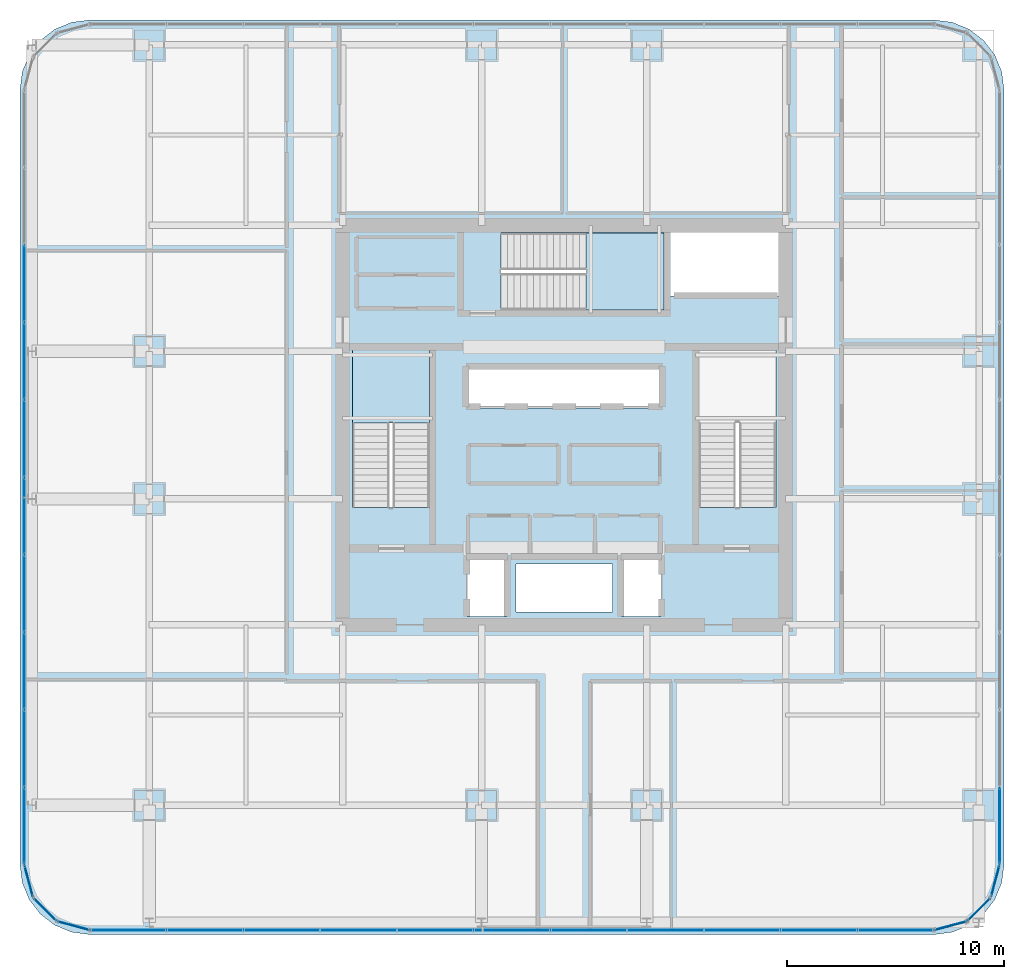
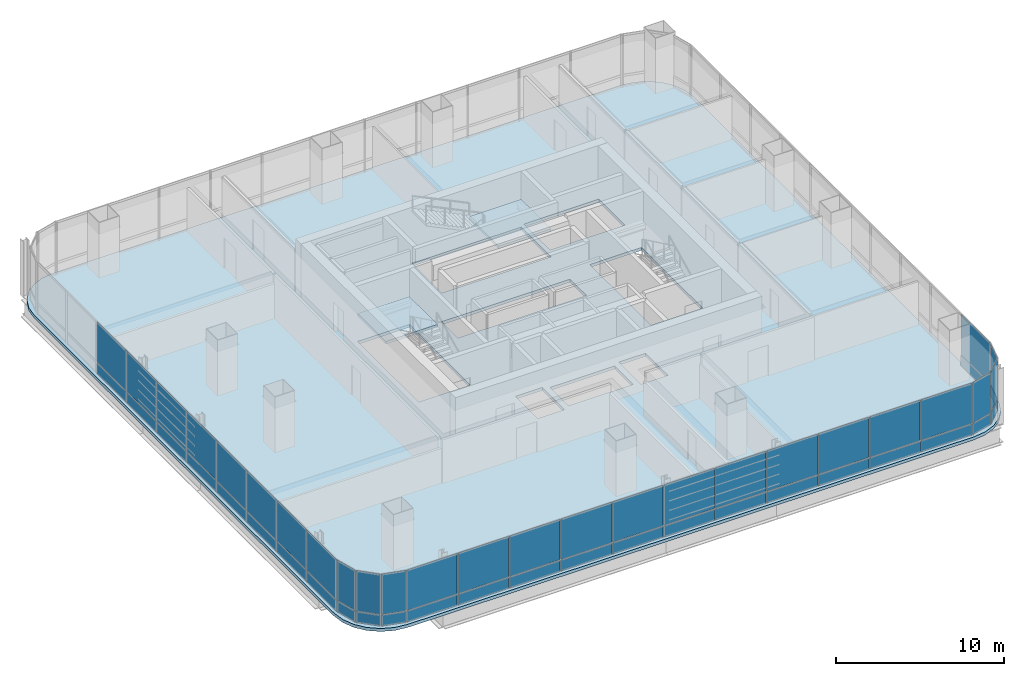
# One storey, part 27 of 37: 52 plates, 3 slabs, 11 elements without a shape of their own.
"""IFC4 building model written with IfcOpenShell, lengths in metres."""

from ifc_helpers import new_model, si_unit, direction, frame, origin, origin_2d, place, context, subcontext, project, spatial, polyline, rectangle, outline, extrude, material, layer, layer_set, type_object, element, aggregate, save


model = new_model("IFC4")

# Units and contexts
model_context = context("Model", 3, precision=1e-05, world=origin(), true_north=direction((0.0, 1.0)))
body_context = subcontext(model_context, "Body", "Model", "MODEL_VIEW")
ifc_project = project(units=[si_unit("LENGTHUNIT", "METRE"), si_unit("AREAUNIT", "SQUARE_METRE"), si_unit("VOLUMEUNIT", "CUBIC_METRE"), si_unit("PLANEANGLEUNIT", "RADIAN"), si_unit("MASSUNIT", "GRAM", prefix="KILO")], contexts=[model_context])

# Site, building, storey
site_placement = place(None, origin())
site = spatial("IfcSite", under=ifc_project, at=site_placement, CompositionType="ELEMENT")
building_placement = place(site_placement, origin())
building = spatial("IfcBuilding", under=site, at=building_placement, Name="Punatoya Terracotta Tower", CompositionType="ELEMENT")
storey_placement = place(building_placement, frame((0.0, 0.0, 192.449951171875)))
storey = spatial("IfcBuildingStorey", under=building, at=storey_placement, Name="L45", CompositionType="ELEMENT", Elevation=192.449951171875)

# Curtain wall, plates
ifc_material_1 = material(Name="Aluminium 6063-T6 + Double Low-E Glass", Category="aluminium")
curtain_wall_type = type_object("IfcCurtainWallType", Name="CW-M2", PredefinedType="NOTDEFINED", material=ifc_material_1)
curtain_wall_1_placement = place(storey_placement, origin())
curtain_wall_1 = element("IfcCurtainWall", 1, at=curtain_wall_1_placement, inside=storey, type_object=curtain_wall_type, Name="L45 Curtain Wall CW-L45-S01-1", PredefinedType="NOTDEFINED")
ifc_material_2 = material(Name="Double Low-E Acoustic Vision Glass", Category="glass")
ifc_layer_1 = layer(ifc_material_2, 0.031982421875)
ifc_layer_set_1 = layer_set([ifc_layer_1], Name="Double Low-E Acoustic Vision Glass")
plate_type_1 = type_object("IfcPlateType", Name="PLT-GLZ-32", PredefinedType="CURTAIN_PANEL", material=ifc_layer_set_1)
plate_1_placement = place(storey_placement, frame((-20.06982421875, -23.25, 0.89013671875), z_axis=(0.0, 0.0, 1.0), x_axis=(1.0, 0.0, 0.0)))
plate_1 = element("IfcPlate", 2, at=plate_1_placement, type_object=plate_type_1, Name="CW-L45-S01-1 Vision Glass Panel 1", PredefinedType="CURTAIN_PANEL", context=body_context, shape_type="SweptSolid", body=[
    extrude(rectangle(XDim=3.448974609375, YDim=0.031982421875, at=origin_2d()), origin(), (0.0, 0.0, 1.0), 2.89990234375),
])
plate_2_placement = place(storey_placement, frame((-16.535888671875, -23.25, 0.89013671875), z_axis=(0.0, 0.0, 1.0), x_axis=(1.0, 0.0, 0.0)))
plate_2 = element("IfcPlate", 3, at=plate_2_placement, type_object=plate_type_1, Name="CW-L45-S01-1 Vision Glass Panel 2", PredefinedType="CURTAIN_PANEL", context=body_context, shape_type="SweptSolid", body=[
    extrude(rectangle(XDim=3.448974609375, YDim=0.031982421875, at=origin_2d()), origin(), (0.0, 0.0, 1.0), 2.89990234375),
])
plate_3_placement = place(storey_placement, frame((-13.001953125, -23.25, 0.89013671875), z_axis=(0.0, 0.0, 1.0), x_axis=(1.0, 0.0, 0.0)))
plate_3 = element("IfcPlate", 4, at=plate_3_placement, type_object=plate_type_1, Name="CW-L45-S01-1 Vision Glass Panel 3", PredefinedType="CURTAIN_PANEL", context=body_context, shape_type="SweptSolid", body=[
    extrude(rectangle(XDim=3.448974609375, YDim=0.031982421875, at=origin_2d()), origin(), (0.0, 0.0, 1.0), 2.89990234375),
])
plate_4_placement = place(storey_placement, frame((-9.468017578125, -23.25, 0.89013671875), z_axis=(0.0, 0.0, 1.0), x_axis=(1.0, 0.0, 0.0)))
plate_4 = element("IfcPlate", 5, at=plate_4_placement, type_object=plate_type_1, Name="CW-L45-S01-1 Vision Glass Panel 4", PredefinedType="CURTAIN_PANEL", context=body_context, shape_type="SweptSolid", body=[
    extrude(rectangle(XDim=3.448974609375, YDim=0.031982421875, at=origin_2d()), origin(), (0.0, 0.0, 1.0), 2.89990234375),
])
plate_5_placement = place(storey_placement, frame((-5.93408203125, -23.25, 0.89013671875), z_axis=(0.0, 0.0, 1.0), x_axis=(1.0, 0.0, 0.0)))
plate_5 = element("IfcPlate", 6, at=plate_5_placement, type_object=plate_type_1, Name="CW-L45-S01-1 Vision Glass Panel 5", PredefinedType="CURTAIN_PANEL", context=body_context, shape_type="SweptSolid", body=[
    extrude(rectangle(XDim=3.448974609375, YDim=0.031982421875, at=origin_2d()), origin(), (0.0, 0.0, 1.0), 2.89990234375),
])
plate_6_placement = place(storey_placement, frame((-2.39990234375, -23.25, 0.89013671875), z_axis=(0.0, 0.0, 1.0), x_axis=(1.0, 0.0, 0.0)))
plate_6 = element("IfcPlate", 7, at=plate_6_placement, type_object=plate_type_1, Name="CW-L45-S01-1 Vision Glass Panel 6", PredefinedType="CURTAIN_PANEL", context=body_context, shape_type="SweptSolid", body=[
    extrude(rectangle(XDim=3.448974609375, YDim=0.031982421875, at=origin_2d()), origin(), (0.0, 0.0, 1.0), 2.89990234375),
])
plate_7_placement = place(storey_placement, frame((1.134033203125, -23.25, 0.89013671875), z_axis=(0.0, 0.0, 1.0), x_axis=(1.0, 0.0, 0.0)))
plate_7 = element("IfcPlate", 8, at=plate_7_placement, type_object=plate_type_1, Name="CW-L45-S01-1 Vision Glass Panel 7", PredefinedType="CURTAIN_PANEL", context=body_context, shape_type="SweptSolid", body=[
    extrude(rectangle(XDim=3.448974609375, YDim=0.031982421875, at=origin_2d()), origin(), (0.0, 0.0, 1.0), 2.89990234375),
])
plate_8_placement = place(storey_placement, frame((4.66796875, -23.25, 0.89013671875), z_axis=(0.0, 0.0, 1.0), x_axis=(1.0, 0.0, 0.0)))
plate_8 = element("IfcPlate", 9, at=plate_8_placement, type_object=plate_type_1, Name="CW-L45-S01-1 Vision Glass Panel 8", PredefinedType="CURTAIN_PANEL", context=body_context, shape_type="SweptSolid", body=[
    extrude(rectangle(XDim=3.448974609375, YDim=0.031982421875, at=origin_2d()), origin(), (0.0, 0.0, 1.0), 2.89990234375),
])
plate_9_placement = place(storey_placement, frame((8.201904296875, -23.25, 0.89013671875), z_axis=(0.0, 0.0, 1.0), x_axis=(1.0, 0.0, 0.0)))
plate_9 = element("IfcPlate", 10, at=plate_9_placement, type_object=plate_type_1, Name="CW-L45-S01-1 Vision Glass Panel 9", PredefinedType="CURTAIN_PANEL", context=body_context, shape_type="SweptSolid", body=[
    extrude(rectangle(XDim=3.448974609375, YDim=0.031982421875, at=origin_2d()), origin(), (0.0, 0.0, 1.0), 2.89990234375),
])
plate_10_placement = place(storey_placement, frame((11.73583984375, -23.25, 0.89013671875), z_axis=(0.0, 0.0, 1.0), x_axis=(1.0, 0.0, 0.0)))
plate_10 = element("IfcPlate", 11, at=plate_10_placement, type_object=plate_type_1, Name="CW-L45-S01-1 Vision Glass Panel 10", PredefinedType="CURTAIN_PANEL", context=body_context, shape_type="SweptSolid", body=[
    extrude(rectangle(XDim=3.448974609375, YDim=0.031982421875, at=origin_2d()), origin(), (0.0, 0.0, 1.0), 2.89990234375),
])
plate_11_placement = place(storey_placement, frame((15.27001953125, -23.25, 0.89013671875), z_axis=(0.0, 0.0, 1.0), x_axis=(1.0, 0.0, 0.0)))
plate_11 = element("IfcPlate", 12, at=plate_11_placement, type_object=plate_type_1, Name="CW-L45-S01-1 Vision Glass Panel 11", PredefinedType="CURTAIN_PANEL", context=body_context, shape_type="SweptSolid", body=[
    extrude(rectangle(XDim=3.448974609375, YDim=0.031982421875, at=origin_2d()), origin(), (0.0, 0.0, 1.0), 2.89990234375),
])

# Curtain wall, plate
curtain_wall_2_placement = place(storey_placement, origin())
curtain_wall_2 = element("IfcCurtainWall", 13, at=curtain_wall_2_placement, inside=storey, type_object=curtain_wall_type, Name="L45 Curtain Wall CW-L45-CRN02", PredefinedType="NOTDEFINED")
plate_12_placement = place(storey_placement, frame((17.79296875, -23.04833984375, 0.89013671875), z_axis=(0.0, 0.0, 1.0), x_axis=(0.966213877436, 0.257741620719, 0.0)))
plate_12 = element("IfcPlate", 14, at=plate_12_placement, type_object=plate_type_1, Name="CW-L45-CRN02 Vision Glass Panel 1", PredefinedType="CURTAIN_PANEL", context=body_context, shape_type="SweptSolid", body=[
    extrude(rectangle(XDim=1.47998046875, YDim=0.031982421875, at=origin_2d()), origin(), (0.0, 0.0, 1.0), 2.89990234375),
])

curtain_wall_3_placement = place(storey_placement, origin())
curtain_wall_3 = element("IfcCurtainWall", 15, at=curtain_wall_3_placement, inside=storey, type_object=curtain_wall_type, Name="L45 Curtain Wall CW-L45-CRN03", PredefinedType="NOTDEFINED")
plate_13_placement = place(storey_placement, frame((19.097900390625, -22.2978515625, 0.89013671875), z_axis=(0.0, 0.0, 1.0), x_axis=(0.707106781187, 0.707106781187, 0.0)))
plate_13 = element("IfcPlate", 16, at=plate_13_placement, type_object=plate_type_1, Name="CW-L45-CRN03 Vision Glass Panel 1", PredefinedType="CURTAIN_PANEL", context=body_context, shape_type="SweptSolid", body=[
    extrude(rectangle(XDim=1.467041015625, YDim=0.031982421875, at=origin_2d()), origin(), (0.0, 0.0, 1.0), 2.89990234375),
])

curtain_wall_4_placement = place(storey_placement, origin())
curtain_wall_4 = element("IfcCurtainWall", 17, at=curtain_wall_4_placement, inside=storey, type_object=curtain_wall_type, Name="L45 Curtain Wall CW-L45-CRN04", PredefinedType="NOTDEFINED")
plate_14_placement = place(storey_placement, frame((19.848388671875, -20.992919921875, 0.89013671875), z_axis=(0.0, 0.0, 1.0), x_axis=(0.257741620719, 0.966213877436, 0.0)))
plate_14 = element("IfcPlate", 18, at=plate_14_placement, type_object=plate_type_1, Name="CW-L45-CRN04 Vision Glass Panel 1", PredefinedType="CURTAIN_PANEL", context=body_context, shape_type="SweptSolid", body=[
    extrude(rectangle(XDim=1.47998046875, YDim=0.031982421875, at=origin_2d()), origin(), (0.0, 0.0, 1.0), 2.89990234375),
])

curtain_wall_5_placement = place(storey_placement, origin())
curtain_wall_5 = element("IfcCurtainWall", 19, at=curtain_wall_5_placement, inside=storey, type_object=curtain_wall_type, Name="L45 Curtain Wall CW-L45-E05-1", PredefinedType="NOTDEFINED")
plate_15_placement = place(storey_placement, frame((20.050048828125, -18.453125, 0.89013671875), z_axis=(0.0, 0.0, 1.0), x_axis=(0.0, 1.0, 0.0)))
plate_15 = element("IfcPlate", 20, at=plate_15_placement, type_object=plate_type_1, Name="CW-L45-E05-1 Vision Glass Panel 1", PredefinedType="CURTAIN_PANEL", context=body_context, shape_type="SweptSolid", body=[
    extrude(rectangle(XDim=3.482421875, YDim=0.031982421875, at=origin_2d()), origin(), (0.0, 0.0, 1.0), 2.89990234375),
])

# Curtain wall, plates
curtain_wall_6_placement = place(storey_placement, origin())
curtain_wall_6 = element("IfcCurtainWall", 21, at=curtain_wall_6_placement, inside=storey, type_object=curtain_wall_type, Name="L45 Curtain Wall CW-L45-W13-1", PredefinedType="NOTDEFINED")
plate_16_placement = place(storey_placement, frame((-24.85009765625, 6.518310546875, 0.89013671875), z_axis=(0.0, 0.0, 1.0), x_axis=(0.0, -1.0, 0.0)))
plate_16 = element("IfcPlate", 22, at=plate_16_placement, type_object=plate_type_1, Name="CW-L45-W13-1 Vision Glass Panel 3", PredefinedType="CURTAIN_PANEL", context=body_context, shape_type="SweptSolid", body=[
    extrude(rectangle(XDim=3.482421875, YDim=0.031982421875, at=origin_2d()), origin(), (0.0, 0.0, 1.0), 2.89990234375),
])
plate_17_placement = place(storey_placement, frame((-24.85009765625, 2.951171875, 0.89013671875), z_axis=(0.0, 0.0, 1.0), x_axis=(0.0, -1.0, 0.0)))
plate_17 = element("IfcPlate", 23, at=plate_17_placement, type_object=plate_type_1, Name="CW-L45-W13-1 Vision Glass Panel 4", PredefinedType="CURTAIN_PANEL", context=body_context, shape_type="SweptSolid", body=[
    extrude(rectangle(XDim=3.482421875, YDim=0.031982421875, at=origin_2d()), origin(), (0.0, 0.0, 1.0), 2.89990234375),
])
plate_18_placement = place(storey_placement, frame((-24.85009765625, -0.6162109375, 0.89013671875), z_axis=(0.0, 0.0, 1.0), x_axis=(0.0, -1.0, 0.0)))
plate_18 = element("IfcPlate", 24, at=plate_18_placement, type_object=plate_type_1, Name="CW-L45-W13-1 Vision Glass Panel 5", PredefinedType="CURTAIN_PANEL", context=body_context, shape_type="SweptSolid", body=[
    extrude(rectangle(XDim=3.482421875, YDim=0.031982421875, at=origin_2d()), origin(), (0.0, 0.0, 1.0), 2.89990234375),
])
plate_19_placement = place(storey_placement, frame((-24.85009765625, -4.18359375, 0.89013671875), z_axis=(0.0, 0.0, 1.0), x_axis=(0.0, -1.0, 0.0)))
plate_19 = element("IfcPlate", 25, at=plate_19_placement, type_object=plate_type_1, Name="CW-L45-W13-1 Vision Glass Panel 6", PredefinedType="CURTAIN_PANEL", context=body_context, shape_type="SweptSolid", body=[
    extrude(rectangle(XDim=3.482421875, YDim=0.031982421875, at=origin_2d()), origin(), (0.0, 0.0, 1.0), 2.89990234375),
])
plate_20_placement = place(storey_placement, frame((-24.85009765625, -7.751220703125, 0.89013671875), z_axis=(0.0, 0.0, 1.0), x_axis=(0.0, -1.0, 0.0)))
plate_20 = element("IfcPlate", 26, at=plate_20_placement, type_object=plate_type_1, Name="CW-L45-W13-1 Vision Glass Panel 7", PredefinedType="CURTAIN_PANEL", context=body_context, shape_type="SweptSolid", body=[
    extrude(rectangle(XDim=3.482421875, YDim=0.031982421875, at=origin_2d()), origin(), (0.0, 0.0, 1.0), 2.89990234375),
])
plate_21_placement = place(storey_placement, frame((-24.85009765625, -11.318359375, 0.89013671875), z_axis=(0.0, 0.0, 1.0), x_axis=(0.0, -1.0, 0.0)))
plate_21 = element("IfcPlate", 27, at=plate_21_placement, type_object=plate_type_1, Name="CW-L45-W13-1 Vision Glass Panel 8", PredefinedType="CURTAIN_PANEL", context=body_context, shape_type="SweptSolid", body=[
    extrude(rectangle(XDim=3.482421875, YDim=0.031982421875, at=origin_2d()), origin(), (0.0, 0.0, 1.0), 2.89990234375),
])
plate_22_placement = place(storey_placement, frame((-24.85009765625, -14.8857421875, 0.89013671875), z_axis=(0.0, 0.0, 1.0), x_axis=(0.0, -1.0, 0.0)))
plate_22 = element("IfcPlate", 28, at=plate_22_placement, type_object=plate_type_1, Name="CW-L45-W13-1 Vision Glass Panel 9", PredefinedType="CURTAIN_PANEL", context=body_context, shape_type="SweptSolid", body=[
    extrude(rectangle(XDim=3.482421875, YDim=0.031982421875, at=origin_2d()), origin(), (0.0, 0.0, 1.0), 2.89990234375),
])
plate_23_placement = place(storey_placement, frame((-24.85009765625, -18.453125, 0.89013671875), z_axis=(0.0, 0.0, 1.0), x_axis=(0.0, -1.0, 0.0)))
plate_23 = element("IfcPlate", 29, at=plate_23_placement, type_object=plate_type_1, Name="CW-L45-W13-1 Vision Glass Panel 10", PredefinedType="CURTAIN_PANEL", context=body_context, shape_type="SweptSolid", body=[
    extrude(rectangle(XDim=3.482421875, YDim=0.031982421875, at=origin_2d()), origin(), (0.0, 0.0, 1.0), 2.89990234375),
])

# Curtain wall, plate
curtain_wall_7_placement = place(storey_placement, origin())
curtain_wall_7 = element("IfcCurtainWall", 30, at=curtain_wall_7_placement, inside=storey, type_object=curtain_wall_type, Name="L45 Curtain Wall CW-L45-CRN14", PredefinedType="NOTDEFINED")
plate_24_placement = place(storey_placement, frame((-24.648193359375, -20.992919921875, 0.89013671875), z_axis=(0.0, 0.0, 1.0), x_axis=(0.257741620719, -0.966213877436, 0.0)))
plate_24 = element("IfcPlate", 31, at=plate_24_placement, type_object=plate_type_1, Name="CW-L45-CRN14 Vision Glass Panel 1", PredefinedType="CURTAIN_PANEL", context=body_context, shape_type="SweptSolid", body=[
    extrude(rectangle(XDim=1.47998046875, YDim=0.031982421875, at=origin_2d()), origin(), (0.0, 0.0, 1.0), 2.89990234375),
])

curtain_wall_8_placement = place(storey_placement, origin())
curtain_wall_8 = element("IfcCurtainWall", 32, at=curtain_wall_8_placement, inside=storey, type_object=curtain_wall_type, Name="L45 Curtain Wall CW-L45-CRN15", PredefinedType="NOTDEFINED")
plate_25_placement = place(storey_placement, frame((-23.89794921875, -22.2978515625, 0.89013671875), z_axis=(0.0, 0.0, 1.0), x_axis=(0.707106781187, -0.707106781187, 0.0)))
plate_25 = element("IfcPlate", 33, at=plate_25_placement, type_object=plate_type_1, Name="CW-L45-CRN15 Vision Glass Panel 1", PredefinedType="CURTAIN_PANEL", context=body_context, shape_type="SweptSolid", body=[
    extrude(rectangle(XDim=1.467041015625, YDim=0.031982421875, at=origin_2d()), origin(), (0.0, 0.0, 1.0), 2.89990234375),
])

curtain_wall_9_placement = place(storey_placement, origin())
curtain_wall_9 = element("IfcCurtainWall", 34, at=curtain_wall_9_placement, inside=storey, type_object=curtain_wall_type, Name="L45 Curtain Wall CW-L45-CRN16", PredefinedType="NOTDEFINED")
plate_26_placement = place(storey_placement, frame((-22.593017578125, -23.04833984375, 0.89013671875), z_axis=(0.0, 0.0, 1.0), x_axis=(0.966213877436, -0.257741620719, 0.0)))
plate_26 = element("IfcPlate", 35, at=plate_26_placement, type_object=plate_type_1, Name="CW-L45-CRN16 Vision Glass Panel 1", PredefinedType="CURTAIN_PANEL", context=body_context, shape_type="SweptSolid", body=[
    extrude(rectangle(XDim=1.47998046875, YDim=0.031982421875, at=origin_2d()), origin(), (0.0, 0.0, 1.0), 2.89990234375),
])

# Plate
ifc_material_3 = material(Name="Insulated Terracotta-Backed Spandrel Panel", Category="masonry")
ifc_layer_2 = layer(ifc_material_3, 0.044921875)
ifc_layer_set_2 = layer_set([ifc_layer_2], Name="Insulated Terracotta-Backed Spandrel Panel")
plate_type_2 = type_object("IfcPlateType", Name="PLT-SPN-45", PredefinedType="CURTAIN_PANEL", material=ifc_layer_set_2)
plate_27_placement = place(storey_placement, frame((-20.06982421875, -23.25, 0.0400390625), z_axis=(0.0, 0.0, 1.0), x_axis=(1.0, 0.0, 0.0)))
plate_27 = element("IfcPlate", 36, at=plate_27_placement, type_object=plate_type_2, Name="CW-L45-S01-1 Terracotta Spandrel Panel 1", PredefinedType="CURTAIN_PANEL", context=body_context, shape_type="SweptSolid", body=[
    extrude(rectangle(XDim=3.448974609375, YDim=0.044921875, at=origin_2d()), origin(), (0.0, 0.0, 1.0), 0.77490234375),
])

plate_28_placement = place(storey_placement, frame((-16.535888671875, -23.25, 0.0400390625), z_axis=(0.0, 0.0, 1.0), x_axis=(1.0, 0.0, 0.0)))
plate_28 = element("IfcPlate", 37, at=plate_28_placement, type_object=plate_type_2, Name="CW-L45-S01-1 Terracotta Spandrel Panel 2", PredefinedType="CURTAIN_PANEL", context=body_context, shape_type="SweptSolid", body=[
    extrude(rectangle(XDim=3.448974609375, YDim=0.044921875, at=origin_2d()), origin(), (0.0, 0.0, 1.0), 0.77490234375),
])

plate_29_placement = place(storey_placement, frame((-13.001953125, -23.25, 0.0400390625), z_axis=(0.0, 0.0, 1.0), x_axis=(1.0, 0.0, 0.0)))
plate_29 = element("IfcPlate", 38, at=plate_29_placement, type_object=plate_type_2, Name="CW-L45-S01-1 Terracotta Spandrel Panel 3", PredefinedType="CURTAIN_PANEL", context=body_context, shape_type="SweptSolid", body=[
    extrude(rectangle(XDim=3.448974609375, YDim=0.044921875, at=origin_2d()), origin(), (0.0, 0.0, 1.0), 0.77490234375),
])

plate_30_placement = place(storey_placement, frame((-9.468017578125, -23.25, 0.0400390625), z_axis=(0.0, 0.0, 1.0), x_axis=(1.0, 0.0, 0.0)))
plate_30 = element("IfcPlate", 39, at=plate_30_placement, type_object=plate_type_2, Name="CW-L45-S01-1 Terracotta Spandrel Panel 4", PredefinedType="CURTAIN_PANEL", context=body_context, shape_type="SweptSolid", body=[
    extrude(rectangle(XDim=3.448974609375, YDim=0.044921875, at=origin_2d()), origin(), (0.0, 0.0, 1.0), 0.77490234375),
])

plate_31_placement = place(storey_placement, frame((-5.93408203125, -23.25, 0.0400390625), z_axis=(0.0, 0.0, 1.0), x_axis=(1.0, 0.0, 0.0)))
plate_31 = element("IfcPlate", 40, at=plate_31_placement, type_object=plate_type_2, Name="CW-L45-S01-1 Terracotta Spandrel Panel 5", PredefinedType="CURTAIN_PANEL", context=body_context, shape_type="SweptSolid", body=[
    extrude(rectangle(XDim=3.448974609375, YDim=0.044921875, at=origin_2d()), origin(), (0.0, 0.0, 1.0), 0.77490234375),
])

plate_32_placement = place(storey_placement, frame((-2.39990234375, -23.25, 0.0400390625), z_axis=(0.0, 0.0, 1.0), x_axis=(1.0, 0.0, 0.0)))
plate_32 = element("IfcPlate", 41, at=plate_32_placement, type_object=plate_type_2, Name="CW-L45-S01-1 Terracotta Spandrel Panel 6", PredefinedType="CURTAIN_PANEL", context=body_context, shape_type="SweptSolid", body=[
    extrude(rectangle(XDim=3.448974609375, YDim=0.044921875, at=origin_2d()), origin(), (0.0, 0.0, 1.0), 0.77490234375),
])

plate_33_placement = place(storey_placement, frame((1.134033203125, -23.25, 0.0400390625), z_axis=(0.0, 0.0, 1.0), x_axis=(1.0, 0.0, 0.0)))
plate_33 = element("IfcPlate", 42, at=plate_33_placement, type_object=plate_type_2, Name="CW-L45-S01-1 Terracotta Spandrel Panel 7", PredefinedType="CURTAIN_PANEL", context=body_context, shape_type="SweptSolid", body=[
    extrude(rectangle(XDim=3.448974609375, YDim=0.044921875, at=origin_2d()), origin(), (0.0, 0.0, 1.0), 0.77490234375),
])

plate_34_placement = place(storey_placement, frame((4.66796875, -23.25, 0.0400390625), z_axis=(0.0, 0.0, 1.0), x_axis=(1.0, 0.0, 0.0)))
plate_34 = element("IfcPlate", 43, at=plate_34_placement, type_object=plate_type_2, Name="CW-L45-S01-1 Terracotta Spandrel Panel 8", PredefinedType="CURTAIN_PANEL", context=body_context, shape_type="SweptSolid", body=[
    extrude(rectangle(XDim=3.448974609375, YDim=0.044921875, at=origin_2d()), origin(), (0.0, 0.0, 1.0), 0.77490234375),
])

plate_35_placement = place(storey_placement, frame((8.201904296875, -23.25, 0.0400390625), z_axis=(0.0, 0.0, 1.0), x_axis=(1.0, 0.0, 0.0)))
plate_35 = element("IfcPlate", 44, at=plate_35_placement, type_object=plate_type_2, Name="CW-L45-S01-1 Terracotta Spandrel Panel 9", PredefinedType="CURTAIN_PANEL", context=body_context, shape_type="SweptSolid", body=[
    extrude(rectangle(XDim=3.448974609375, YDim=0.044921875, at=origin_2d()), origin(), (0.0, 0.0, 1.0), 0.77490234375),
])

plate_36_placement = place(storey_placement, frame((11.73583984375, -23.25, 0.0400390625), z_axis=(0.0, 0.0, 1.0), x_axis=(1.0, 0.0, 0.0)))
plate_36 = element("IfcPlate", 45, at=plate_36_placement, type_object=plate_type_2, Name="CW-L45-S01-1 Terracotta Spandrel Panel 10", PredefinedType="CURTAIN_PANEL", context=body_context, shape_type="SweptSolid", body=[
    extrude(rectangle(XDim=3.448974609375, YDim=0.044921875, at=origin_2d()), origin(), (0.0, 0.0, 1.0), 0.77490234375),
])

plate_37_placement = place(storey_placement, frame((15.27001953125, -23.25, 0.0400390625), z_axis=(0.0, 0.0, 1.0), x_axis=(1.0, 0.0, 0.0)))
plate_37 = element("IfcPlate", 46, at=plate_37_placement, type_object=plate_type_2, Name="CW-L45-S01-1 Terracotta Spandrel Panel 11", PredefinedType="CURTAIN_PANEL", context=body_context, shape_type="SweptSolid", body=[
    extrude(rectangle(XDim=3.448974609375, YDim=0.044921875, at=origin_2d()), origin(), (0.0, 0.0, 1.0), 0.77490234375),
])

aggregate(curtain_wall_1, [plate_27, plate_1, plate_28, plate_2, plate_29, plate_3, plate_30, plate_4, plate_31, plate_5, plate_32, plate_6, plate_33, plate_7, plate_34, plate_8, plate_35, plate_9, plate_36, plate_10, plate_37, plate_11])

plate_38_placement = place(storey_placement, frame((17.79296875, -23.04833984375, 0.0400390625), z_axis=(0.0, 0.0, 1.0), x_axis=(0.966213877436, 0.257741620719, 0.0)))
plate_38 = element("IfcPlate", 47, at=plate_38_placement, type_object=plate_type_2, Name="CW-L45-CRN02 Terracotta Spandrel Panel 1", PredefinedType="CURTAIN_PANEL", context=body_context, shape_type="SweptSolid", body=[
    extrude(rectangle(XDim=1.47998046875, YDim=0.044921875, at=origin_2d()), origin(), (0.0, 0.0, 1.0), 0.77490234375),
])

aggregate(curtain_wall_2, [plate_38, plate_12])

plate_39_placement = place(storey_placement, frame((19.097900390625, -22.2978515625, 0.0400390625), z_axis=(0.0, 0.0, 1.0), x_axis=(0.707106781187, 0.707106781187, 0.0)))
plate_39 = element("IfcPlate", 48, at=plate_39_placement, type_object=plate_type_2, Name="CW-L45-CRN03 Terracotta Spandrel Panel 1", PredefinedType="CURTAIN_PANEL", context=body_context, shape_type="SweptSolid", body=[
    extrude(rectangle(XDim=1.467041015625, YDim=0.044921875, at=origin_2d()), origin(), (0.0, 0.0, 1.0), 0.77490234375),
])

aggregate(curtain_wall_3, [plate_39, plate_13])

plate_40_placement = place(storey_placement, frame((19.848388671875, -20.992919921875, 0.0400390625), z_axis=(0.0, 0.0, 1.0), x_axis=(0.257741620719, 0.966213877436, 0.0)))
plate_40 = element("IfcPlate", 49, at=plate_40_placement, type_object=plate_type_2, Name="CW-L45-CRN04 Terracotta Spandrel Panel 1", PredefinedType="CURTAIN_PANEL", context=body_context, shape_type="SweptSolid", body=[
    extrude(rectangle(XDim=1.47998046875, YDim=0.044921875, at=origin_2d()), origin(), (0.0, 0.0, 1.0), 0.77490234375),
])

aggregate(curtain_wall_4, [plate_40, plate_14])

plate_41_placement = place(storey_placement, frame((20.050048828125, -18.453125, 0.0400390625), z_axis=(0.0, 0.0, 1.0), x_axis=(0.0, 1.0, 0.0)))
plate_41 = element("IfcPlate", 50, at=plate_41_placement, type_object=plate_type_2, Name="CW-L45-E05-1 Terracotta Spandrel Panel 1", PredefinedType="CURTAIN_PANEL", context=body_context, shape_type="SweptSolid", body=[
    extrude(rectangle(XDim=3.482421875, YDim=0.044921875, at=origin_2d()), origin(), (0.0, 0.0, 1.0), 0.77490234375),
])

aggregate(curtain_wall_5, [plate_41, plate_15])

plate_42_placement = place(storey_placement, frame((-24.85009765625, 6.518310546875, 0.0400390625), z_axis=(0.0, 0.0, 1.0), x_axis=(0.0, -1.0, 0.0)))
plate_42 = element("IfcPlate", 51, at=plate_42_placement, type_object=plate_type_2, Name="CW-L45-W13-1 Terracotta Spandrel Panel 3", PredefinedType="CURTAIN_PANEL", context=body_context, shape_type="SweptSolid", body=[
    extrude(rectangle(XDim=3.482421875, YDim=0.044921875, at=origin_2d()), origin(), (0.0, 0.0, 1.0), 0.77490234375),
])

plate_43_placement = place(storey_placement, frame((-24.85009765625, 2.951171875, 0.0400390625), z_axis=(0.0, 0.0, 1.0), x_axis=(0.0, -1.0, 0.0)))
plate_43 = element("IfcPlate", 52, at=plate_43_placement, type_object=plate_type_2, Name="CW-L45-W13-1 Terracotta Spandrel Panel 4", PredefinedType="CURTAIN_PANEL", context=body_context, shape_type="SweptSolid", body=[
    extrude(rectangle(XDim=3.482421875, YDim=0.044921875, at=origin_2d()), origin(), (0.0, 0.0, 1.0), 0.77490234375),
])

plate_44_placement = place(storey_placement, frame((-24.85009765625, -0.6162109375, 0.0400390625), z_axis=(0.0, 0.0, 1.0), x_axis=(0.0, -1.0, 0.0)))
plate_44 = element("IfcPlate", 53, at=plate_44_placement, type_object=plate_type_2, Name="CW-L45-W13-1 Terracotta Spandrel Panel 5", PredefinedType="CURTAIN_PANEL", context=body_context, shape_type="SweptSolid", body=[
    extrude(rectangle(XDim=3.482421875, YDim=0.044921875, at=origin_2d()), origin(), (0.0, 0.0, 1.0), 0.77490234375),
])

plate_45_placement = place(storey_placement, frame((-24.85009765625, -4.18359375, 0.0400390625), z_axis=(0.0, 0.0, 1.0), x_axis=(0.0, -1.0, 0.0)))
plate_45 = element("IfcPlate", 54, at=plate_45_placement, type_object=plate_type_2, Name="CW-L45-W13-1 Terracotta Spandrel Panel 6", PredefinedType="CURTAIN_PANEL", context=body_context, shape_type="SweptSolid", body=[
    extrude(rectangle(XDim=3.482421875, YDim=0.044921875, at=origin_2d()), origin(), (0.0, 0.0, 1.0), 0.77490234375),
])

plate_46_placement = place(storey_placement, frame((-24.85009765625, -7.751220703125, 0.0400390625), z_axis=(0.0, 0.0, 1.0), x_axis=(0.0, -1.0, 0.0)))
plate_46 = element("IfcPlate", 55, at=plate_46_placement, type_object=plate_type_2, Name="CW-L45-W13-1 Terracotta Spandrel Panel 7", PredefinedType="CURTAIN_PANEL", context=body_context, shape_type="SweptSolid", body=[
    extrude(rectangle(XDim=3.482421875, YDim=0.044921875, at=origin_2d()), origin(), (0.0, 0.0, 1.0), 0.77490234375),
])

plate_47_placement = place(storey_placement, frame((-24.85009765625, -11.318359375, 0.0400390625), z_axis=(0.0, 0.0, 1.0), x_axis=(0.0, -1.0, 0.0)))
plate_47 = element("IfcPlate", 56, at=plate_47_placement, type_object=plate_type_2, Name="CW-L45-W13-1 Terracotta Spandrel Panel 8", PredefinedType="CURTAIN_PANEL", context=body_context, shape_type="SweptSolid", body=[
    extrude(rectangle(XDim=3.482421875, YDim=0.044921875, at=origin_2d()), origin(), (0.0, 0.0, 1.0), 0.77490234375),
])

plate_48_placement = place(storey_placement, frame((-24.85009765625, -14.8857421875, 0.0400390625), z_axis=(0.0, 0.0, 1.0), x_axis=(0.0, -1.0, 0.0)))
plate_48 = element("IfcPlate", 57, at=plate_48_placement, type_object=plate_type_2, Name="CW-L45-W13-1 Terracotta Spandrel Panel 9", PredefinedType="CURTAIN_PANEL", context=body_context, shape_type="SweptSolid", body=[
    extrude(rectangle(XDim=3.482421875, YDim=0.044921875, at=origin_2d()), origin(), (0.0, 0.0, 1.0), 0.77490234375),
])

plate_49_placement = place(storey_placement, frame((-24.85009765625, -18.453125, 0.0400390625), z_axis=(0.0, 0.0, 1.0), x_axis=(0.0, -1.0, 0.0)))
plate_49 = element("IfcPlate", 58, at=plate_49_placement, type_object=plate_type_2, Name="CW-L45-W13-1 Terracotta Spandrel Panel 10", PredefinedType="CURTAIN_PANEL", context=body_context, shape_type="SweptSolid", body=[
    extrude(rectangle(XDim=3.482421875, YDim=0.044921875, at=origin_2d()), origin(), (0.0, 0.0, 1.0), 0.77490234375),
])

aggregate(curtain_wall_6, [plate_42, plate_16, plate_43, plate_17, plate_44, plate_18, plate_45, plate_19, plate_46, plate_20, plate_47, plate_21, plate_48, plate_22, plate_49, plate_23])

plate_50_placement = place(storey_placement, frame((-24.648193359375, -20.992919921875, 0.0400390625), z_axis=(0.0, 0.0, 1.0), x_axis=(0.257741620719, -0.966213877436, 0.0)))
plate_50 = element("IfcPlate", 59, at=plate_50_placement, type_object=plate_type_2, Name="CW-L45-CRN14 Terracotta Spandrel Panel 1", PredefinedType="CURTAIN_PANEL", context=body_context, shape_type="SweptSolid", body=[
    extrude(rectangle(XDim=1.47998046875, YDim=0.044921875, at=origin_2d()), origin(), (0.0, 0.0, 1.0), 0.77490234375),
])

aggregate(curtain_wall_7, [plate_50, plate_24])

plate_51_placement = place(storey_placement, frame((-23.89794921875, -22.2978515625, 0.0400390625), z_axis=(0.0, 0.0, 1.0), x_axis=(0.707106781187, -0.707106781187, 0.0)))
plate_51 = element("IfcPlate", 60, at=plate_51_placement, type_object=plate_type_2, Name="CW-L45-CRN15 Terracotta Spandrel Panel 1", PredefinedType="CURTAIN_PANEL", context=body_context, shape_type="SweptSolid", body=[
    extrude(rectangle(XDim=1.467041015625, YDim=0.044921875, at=origin_2d()), origin(), (0.0, 0.0, 1.0), 0.77490234375),
])

aggregate(curtain_wall_8, [plate_51, plate_25])

plate_52_placement = place(storey_placement, frame((-22.593017578125, -23.04833984375, 0.0400390625), z_axis=(0.0, 0.0, 1.0), x_axis=(0.966213877436, -0.257741620719, 0.0)))
plate_52 = element("IfcPlate", 61, at=plate_52_placement, type_object=plate_type_2, Name="CW-L45-CRN16 Terracotta Spandrel Panel 1", PredefinedType="CURTAIN_PANEL", context=body_context, shape_type="SweptSolid", body=[
    extrude(rectangle(XDim=1.47998046875, YDim=0.044921875, at=origin_2d()), origin(), (0.0, 0.0, 1.0), 0.77490234375),
])

aggregate(curtain_wall_9, [plate_52, plate_26])

# Stair, slab
ifc_material_4 = material(Name="Concrete C40/50", Category="concrete")
stair_type_1 = type_object("IfcStairType", Name="STR-TER-1450", PredefinedType="HALF_TURN_STAIR", material=ifc_material_4)
stair_1_placement = place(storey_placement, origin())
stair_1 = element("IfcStair", 62, at=stair_1_placement, inside=storey, type_object=stair_type_1, Name="L45 Protected Core Exit Stair ST-3", PredefinedType="HALF_TURN_STAIR")
ifc_layer_3 = layer(ifc_material_4, 0.1650390625)
ifc_layer_set_3 = layer_set([ifc_layer_3], Name="Concrete C40/50")
slab_type_1 = type_object("IfcSlabType", Name="SLB-LND-165", PredefinedType="LANDING", material=ifc_layer_set_3)
slab_1_placement = place(storey_placement, frame((0.0, 0.0, 1.824951171875)))
slab_1 = element("IfcSlab", 63, at=slab_1_placement, type_object=slab_type_1, Name="ST-3 landing 1", PredefinedType="LANDING", context=body_context, shape_type="SweptSolid", body=[
    extrude(outline(polyline([(1.0, 5.300048828125), (4.60009765625, 5.300048828125), (4.60009765625, 8.85009765625), (1.0, 8.85009765625), (1.0, 5.300048828125)])), origin(), (0.0, 0.0, 1.0), 0.2001953125),
])
aggregate(stair_1, [slab_1])

stair_type_2 = type_object("IfcStairType", Name="STR-CORE-1550", PredefinedType="HALF_TURN_STAIR", material=ifc_material_4)
stair_2_placement = place(storey_placement, origin())
stair_2 = element("IfcStair", 64, at=stair_2_placement, inside=storey, type_object=stair_type_2, Name="L45 Protected Core Exit Stair ST-1", PredefinedType="HALF_TURN_STAIR")
ifc_layer_4 = layer(ifc_material_4, 0.179931640625)
ifc_layer_set_4 = layer_set([ifc_layer_4], Name="Concrete C40/50")
slab_type_2 = type_object("IfcSlabType", Name="SLB-LND-180", PredefinedType="LANDING", material=ifc_layer_set_4)
slab_2_placement = place(storey_placement, frame((0.0, 0.0, 1.824951171875)))
slab_2 = element("IfcSlab", 65, at=slab_2_placement, type_object=slab_type_2, Name="ST-1 landing 1", PredefinedType="LANDING", context=body_context, shape_type="SweptSolid", body=[
    extrude(outline(polyline([(-6.199951171875, 0.10009765625), (-6.199951171875, 3.449951171875), (-9.75, 3.449951171875), (-9.75, 0.10009765625), (-6.199951171875, 0.10009765625)])), origin(), (0.0, 0.0, 1.0), 0.2001953125),
])
aggregate(stair_2, [slab_2])

# Slab
ifc_layer_5 = layer(ifc_material_4, 0.219970703125)
ifc_layer_set_5 = layer_set([ifc_layer_5], Name="Concrete C40/50")
slab_type_3 = type_object("IfcSlabType", Name="SLB-OFF-220", PredefinedType="FLOOR", material=ifc_layer_set_5)
slab_3_placement = place(storey_placement, frame((0.0, 0.0, -0.219970703125)))
element("IfcSlab", 66, at=slab_3_placement, inside=storey, type_object=slab_type_3, Name="L45 Structural Floor Slab", PredefinedType="FLOOR", context=body_context, shape_type="SweptSolid", body=[
    extrude(outline(polyline([(-21.85009765625, -23.449951171875), (-22.67822265625, -23.341064453125), (-23.449951171875, -23.021240234375), (-24.11279296875, -22.5126953125), (-24.621337890625, -21.85009765625), (-24.94091796875, -21.078125), (-25.050048828125, -20.25), (-25.050048828125, 15.449951171875), (-24.94091796875, 16.2783203125), (-24.621337890625, 17.050048828125), (-24.11279296875, 17.712646484375), (-23.449951171875, 18.22119140625), (-22.67822265625, 18.541015625), (-21.85009765625, 18.64990234375), (17.050048828125, 18.64990234375), (17.878173828125, 18.541015625), (18.64990234375, 18.22119140625), (19.312744140625, 17.712646484375), (19.8212890625, 17.050048828125), (20.14111328125, 16.2783203125), (20.25, 15.449951171875), (20.25, -20.25), (20.14111328125, -21.078125), (19.8212890625, -21.85009765625), (19.312744140625, -22.5126953125), (18.64990234375, -23.021240234375), (17.878173828125, -23.341064453125), (17.050048828125, -23.449951171875), (-21.85009765625, -23.449951171875)]), holes=[polyline([(-2.6298828125, -6.179931640625), (-4.469970703125, -6.179931640625), (-4.469970703125, -8.820068359375), (-2.6298828125, -8.820068359375), (-2.6298828125, -6.179931640625)]), polyline([(0.02001953125, -8.594970703125), (2.219970703125, -8.594970703125), (2.219970703125, -6.405029296875), (0.02001953125, -6.405029296875), (-0.02001953125, -6.405029296875), (-2.219970703125, -6.405029296875), (-2.219970703125, -8.594970703125), (-0.02001953125, -8.594970703125), (0.02001953125, -8.594970703125)]), polyline([(-6.199951171875, 3.449951171875), (-9.75, 3.449951171875), (-9.75, -3.79931640625), (-6.199951171875, -3.79931640625), (-6.199951171875, 3.449951171875)]), polyline([(-4.419921875, 2.719970703125), (-4.419921875, 0.780029296875), (-2.219970703125, 0.780029296875), (-2.179931640625, 0.780029296875), (-0.02001953125, 0.780029296875), (0.02001953125, 0.780029296875), (2.179931640625, 0.780029296875), (2.219970703125, 0.780029296875), (4.419921875, 0.780029296875), (4.419921875, 2.719970703125), (2.219970703125, 2.719970703125), (2.179931640625, 2.719970703125), (0.02001953125, 2.719970703125), (-0.02001953125, 2.719970703125), (-2.179931640625, 2.719970703125), (-2.219970703125, 2.719970703125), (-4.419921875, 2.719970703125)]), polyline([(4.60009765625, 5.300048828125), (4.60009765625, 8.85009765625), (-2.899169921875, 8.85009765625), (-2.899169921875, 5.300048828125), (4.60009765625, 5.300048828125)]), polyline([(4.469970703125, -8.820068359375), (4.469970703125, -6.179931640625), (2.6298828125, -6.179931640625), (2.6298828125, -8.820068359375), (4.469970703125, -8.820068359375)]), polyline([(9.75, 3.449951171875), (6.199951171875, 3.449951171875), (6.199951171875, -3.79931640625), (9.75, -3.79931640625), (9.75, 3.449951171875)]), polyline([(10.050048828125, 5.949951171875), (10.050048828125, 9.050048828125), (4.89990234375, 9.050048828125), (4.89990234375, 5.949951171875), (10.050048828125, 5.949951171875)])]), origin(), (0.0, 0.0, 1.0), 0.219970703125),
])

save(model, "model.ifc")
